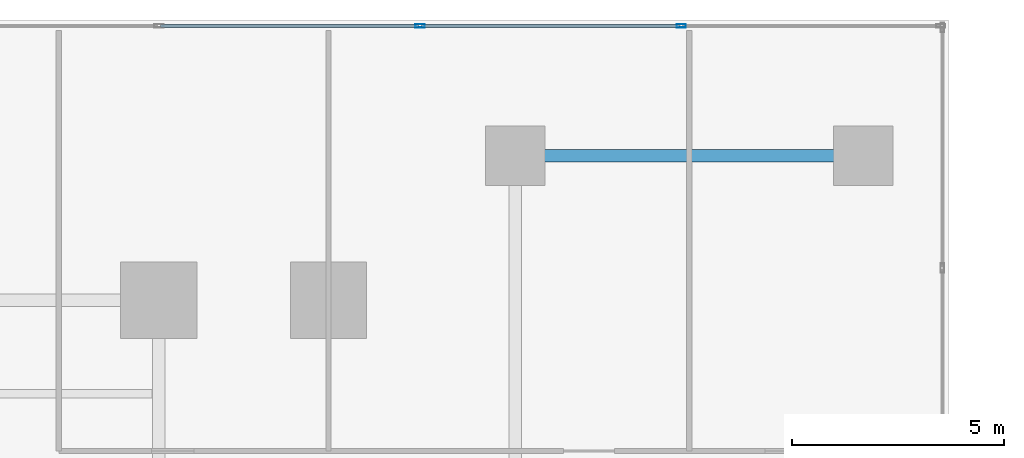
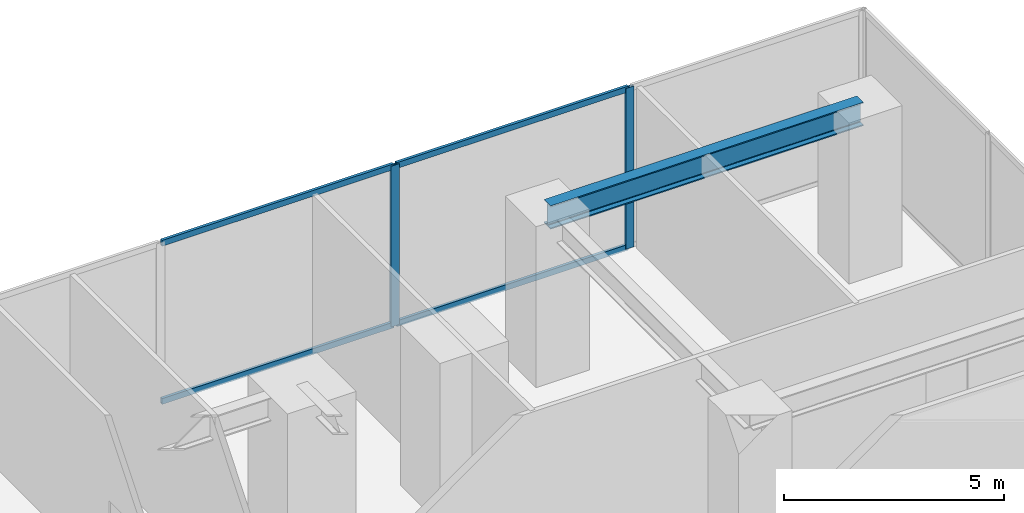
# One storey, part 4 of 16: 6 members, 1 beam, 1 element without a shape of its own.
"""IFC4 building model written with IfcOpenShell, lengths in metres."""

from ifc_helpers import new_model, si_unit, direction, frame, origin, origin_with_axes, origin_2d, place, context, subcontext, project, spatial, hollow_rectangle, i_section, extrude, source, transform, mapped, material, layer, layer_set, material_profile, profile_set, type_object, element, aggregate, save


model = new_model("IFC4")

# Units and contexts
model_context = context("Model", 3, precision=1e-05, world=origin(), true_north=direction((0.0, 1.0)))
body_context = subcontext(model_context, "Body", "Model", "MODEL_VIEW")
ifc_project = project(units=[si_unit("LENGTHUNIT", "METRE"), si_unit("AREAUNIT", "SQUARE_METRE"), si_unit("VOLUMEUNIT", "CUBIC_METRE"), si_unit("PLANEANGLEUNIT", "RADIAN"), si_unit("MASSUNIT", "GRAM", prefix="KILO")], contexts=[model_context])

# Site, building, storey
site_placement = place(None, origin())
site = spatial("IfcSite", under=ifc_project, at=site_placement, CompositionType="ELEMENT")
building_placement = place(site_placement, origin())
building = spatial("IfcBuilding", under=site, at=building_placement, Name="Kolvaren Waterfront Exchange", CompositionType="ELEMENT")
storey_placement = place(building_placement, frame((0.0, 0.0, 15.199951171875)))
storey = spatial("IfcBuildingStorey", under=building, at=storey_placement, Name="L04", CompositionType="ELEMENT", Elevation=15.199951171875)

# Beam
ifc_material_1 = material(Name="Steel S355", Category="steel")
ifc_material_profile_1 = material_profile(ifc_material_1, i_section(OverallWidth=0.300048828125, OverallDepth=0.64990234375, WebThickness=0.01611328125, FlangeThickness=0.031005859375, FilletRadius=0.027099609375, at=origin_2d()), Name="HEB650")
ifc_profile_set_1 = profile_set([ifc_material_profile_1], Name="Steel S355")
beam_type = type_object("IfcBeamType", Name="STR-BM-HEB650", PredefinedType="BEAM", material=ifc_profile_set_1)
beam_placement = place(storey_placement, frame((27.199951171875, 48.0, 4.135009765625), z_axis=(1.0, 0.0, 0.0), x_axis=(0.0, 1.0, 0.0)))
element("IfcBeam", 1, at=beam_placement, inside=storey, type_object=beam_type, Name="L04 podium north girder 2", PredefinedType="BEAM", context=body_context, shape_type="SweptSolid", body=[
    extrude(i_section(OverallWidth=0.300048828125, OverallDepth=0.64990234375, WebThickness=0.01611328125, FlangeThickness=0.031005859375, FilletRadius=0.027099609375, at=origin_2d()), origin(), (0.0, 0.0, 1.0), 8.199951171875),
])

# Curtain wall, members
ifc_material_2 = material(Name="Anodised bronze aluminium 6063-T6", Category="aluminium")
ifc_layer = layer(ifc_material_2, 0.219970703125, Name="Anodised bronze aluminium 6063-T6")
ifc_layer_set = layer_set([ifc_layer], Name="Anodised bronze aluminium 6063-T6")
curtain_wall_type = type_object("IfcCurtainWallType", Name="ARC-CW-SYS1", PredefinedType="USERDEFINED", material=ifc_layer_set)
curtain_wall_placement = place(storey_placement, origin())
curtain_wall = element("IfcCurtainWall", 2, at=curtain_wall_placement, inside=storey, type_object=curtain_wall_type, Name="L04 stick curtain wall CW1 (CW-L04-N2)", ObjectType="STICK CURTAIN WALL", PredefinedType="USERDEFINED")
ifc_material_3 = material(Name="Anodised aluminium 6063-T6", Category="aluminium")
ifc_material_profile_2 = material_profile(ifc_material_3, hollow_rectangle(XDim=0.080078125, YDim=0.219970703125, WallThickness=0.0048828125, at=origin_2d()), Name="ALU-MUL-220x80x5")
ifc_profile_set_2 = profile_set([ifc_material_profile_2], Name="Anodised aluminium 6063-T6")
member_type_1 = type_object("IfcMemberType", Name="ARC-CWM-220", PredefinedType="MULLION", material=ifc_profile_set_2)
shared_shape_1 = source(origin_with_axes(), body_context, "Body", "SweptSolid", [
    extrude(hollow_rectangle(XDim=0.080078125, YDim=0.219970703125, WallThickness=0.0048828125, at=origin_2d()), origin(), (0.0, 0.0, 1.0), 4.4599609375),
])
member_1_placement = place(storey_placement, frame((31.1083984375, 51.06005859375, 0.0), z_axis=(0.0, 0.0, 1.0), x_axis=(0.0, -1.0, 0.0)))
member_1 = element("IfcMember", 3, at=member_1_placement, type_object=member_type_1, Name="CW1 mullion 2", PredefinedType="MULLION", context=body_context, shape_type="MappedRepresentation", body=[
    mapped(shared_shape_1, transform((0.0, 0.0, 0.0), x_axis=(1.0, 0.0, 0.0), y_axis=(0.0, 1.0, 0.0), z_axis=(0.0, 0.0, 1.0), scale=1.0)),
])
member_2_placement = place(storey_placement, frame((24.956787109375, 51.06005859375, 0.0), z_axis=(0.0, 0.0, 1.0), x_axis=(0.0, -1.0, 0.0)))
member_2 = element("IfcMember", 4, at=member_2_placement, type_object=member_type_1, Name="CW1 mullion 3", PredefinedType="MULLION", context=body_context, shape_type="MappedRepresentation", body=[
    mapped(shared_shape_1, transform((0.0, 0.0, 0.0), x_axis=(1.0, 0.0, 0.0), y_axis=(0.0, 1.0, 0.0), z_axis=(0.0, 0.0, 1.0), scale=1.0)),
])
ifc_material_profile_3 = material_profile(ifc_material_3, hollow_rectangle(XDim=0.074951171875, YDim=0.159912109375, WallThickness=0.00439453125, at=origin_2d()), Name="ALU-TRN-160x75x4.5")
ifc_profile_set_3 = profile_set([ifc_material_profile_3], Name="Anodised aluminium 6063-T6")
member_type_2 = type_object("IfcMemberType", Name="ARC-CWT-160", PredefinedType="USERDEFINED", material=ifc_profile_set_3)
shared_shape_2 = source(origin_with_axes(), body_context, "Body", "SweptSolid", [
    extrude(hollow_rectangle(XDim=0.074951171875, YDim=0.159912109375, WallThickness=0.00439453125, at=origin_2d()), origin(), (0.0, 0.0, 1.0), 6.07177734375),
])
member_3_placement = place(storey_placement, frame((31.068359375, 51.06005859375, 0.03759765625), z_axis=(-1.0, 0.0, 0.0), x_axis=(0.0, -1.0, 0.0)))
member_3 = element("IfcMember", 5, at=member_3_placement, type_object=member_type_2, Name="CW1 transom 2.1", ObjectType="TRANSOM", PredefinedType="USERDEFINED", context=body_context, shape_type="MappedRepresentation", body=[
    mapped(shared_shape_2, transform((0.0, 0.0, 0.0), x_axis=(1.0, 0.0, 0.0), y_axis=(0.0, 1.0, 0.0), z_axis=(0.0, 0.0, 1.0), scale=1.0)),
])
member_4_placement = place(storey_placement, frame((31.068359375, 51.06005859375, 4.422607421875), z_axis=(-1.0, 0.0, 0.0), x_axis=(0.0, -1.0, 0.0)))
member_4 = element("IfcMember", 6, at=member_4_placement, type_object=member_type_2, Name="CW1 transom 2.2", ObjectType="TRANSOM", PredefinedType="USERDEFINED", context=body_context, shape_type="MappedRepresentation", body=[
    mapped(shared_shape_2, transform((0.0, 0.0, 0.0), x_axis=(1.0, 0.0, 0.0), y_axis=(0.0, 1.0, 0.0), z_axis=(0.0, 0.0, 1.0), scale=1.0)),
])
member_5_placement = place(storey_placement, frame((24.916748046875, 51.06005859375, 0.03759765625), z_axis=(-1.0, 0.0, 0.0), x_axis=(0.0, -1.0, 0.0)))
member_5 = element("IfcMember", 7, at=member_5_placement, type_object=member_type_2, Name="CW1 transom 3.1", ObjectType="TRANSOM", PredefinedType="USERDEFINED", context=body_context, shape_type="MappedRepresentation", body=[
    mapped(shared_shape_2, transform((0.0, 0.0, 0.0), x_axis=(1.0, 0.0, 0.0), y_axis=(0.0, 1.0, 0.0), z_axis=(0.0, 0.0, 1.0), scale=1.0)),
])
member_6_placement = place(storey_placement, frame((24.916748046875, 51.06005859375, 4.422607421875), z_axis=(-1.0, 0.0, 0.0), x_axis=(0.0, -1.0, 0.0)))
member_6 = element("IfcMember", 8, at=member_6_placement, type_object=member_type_2, Name="CW1 transom 3.2", ObjectType="TRANSOM", PredefinedType="USERDEFINED", context=body_context, shape_type="MappedRepresentation", body=[
    mapped(shared_shape_2, transform((0.0, 0.0, 0.0), x_axis=(1.0, 0.0, 0.0), y_axis=(0.0, 1.0, 0.0), z_axis=(0.0, 0.0, 1.0), scale=1.0)),
])
aggregate(curtain_wall, [member_1, member_2, member_3, member_4, member_5, member_6])

save(model, "model.ifc")
